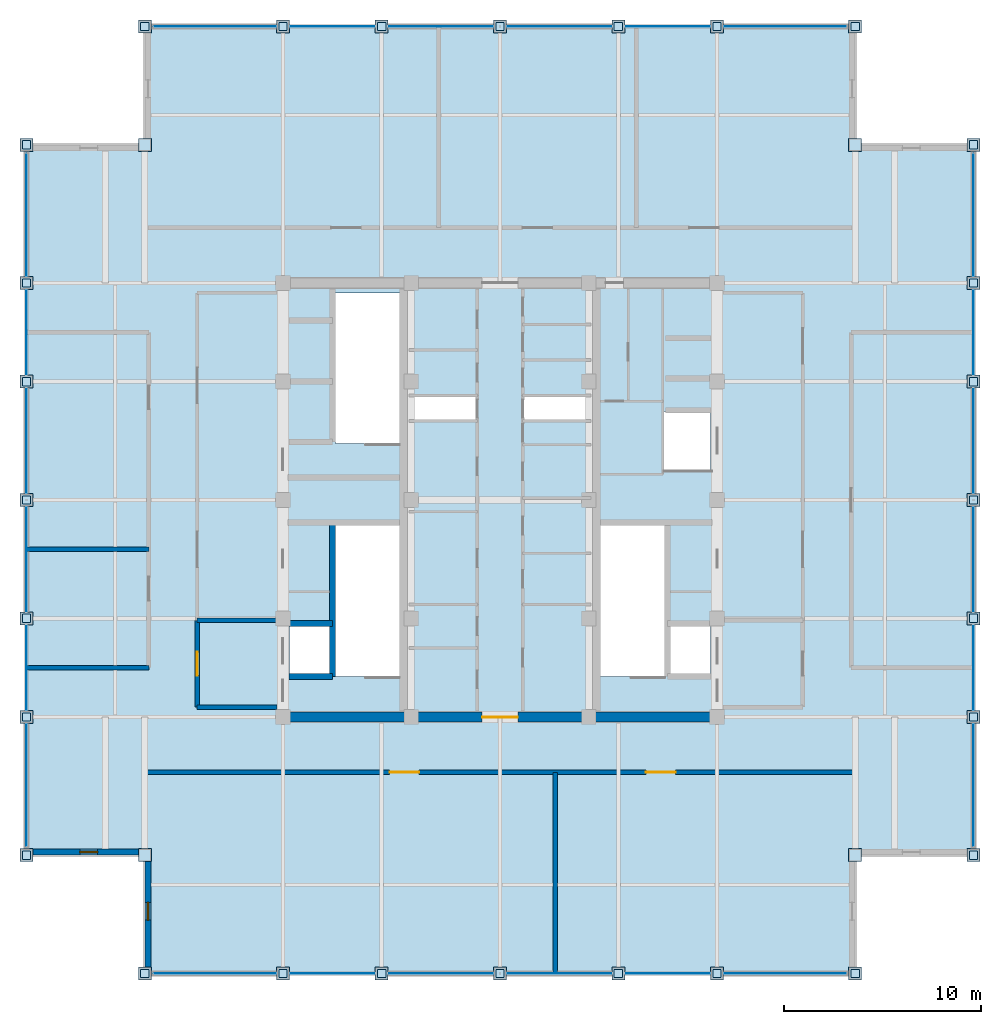
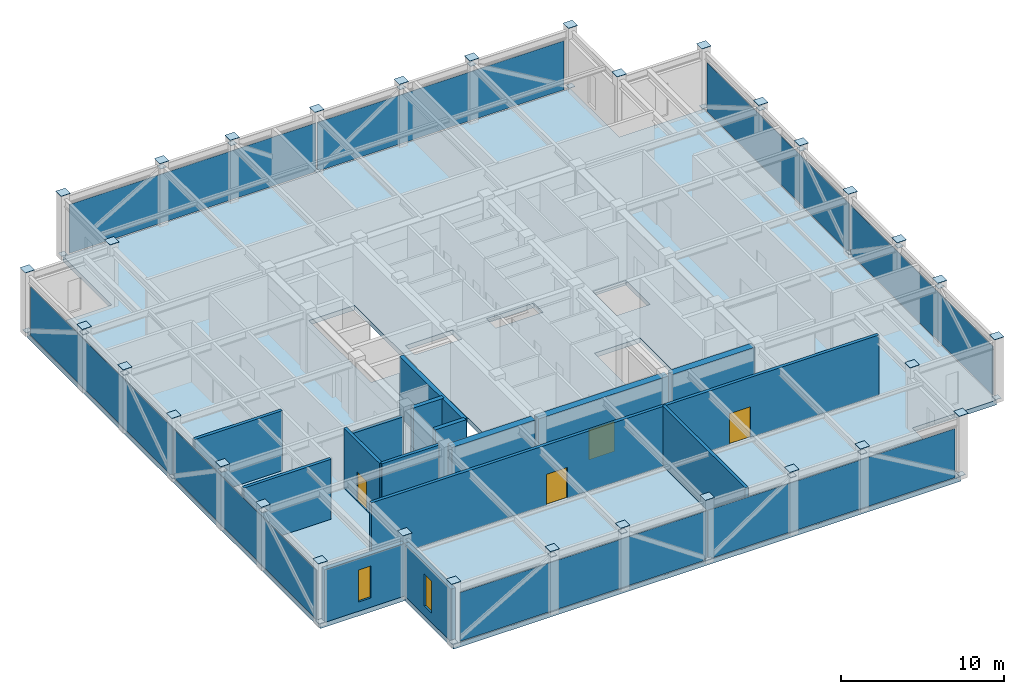
# One storey, part 23 of 27: 68 plates, 15 walls, 4 doors, 2 windows, 1 slab, 6 openings, 4 elements without a shape of their own.
"""IFC4 building model written with IfcOpenShell, lengths in metres."""

from ifc_helpers import new_model, si_unit, direction, frame, frame_2d, origin, origin_2d, place, context, subcontext, project, spatial, polyline, rectangle, outline, extrude, source, transform, mapped, material, layer, layer_set, type_object, element, fill, aggregate, save


model = new_model("IFC4")

# Units and contexts
model_context = context("Model", 3, precision=1e-05, world=origin(), true_north=direction((0.0, 1.0)))
body_context = subcontext(model_context, "Body", "Model", "MODEL_VIEW")
ifc_project = project(units=[si_unit("LENGTHUNIT", "METRE"), si_unit("AREAUNIT", "SQUARE_METRE"), si_unit("VOLUMEUNIT", "CUBIC_METRE"), si_unit("PLANEANGLEUNIT", "RADIAN"), si_unit("MASSUNIT", "GRAM", prefix="KILO")], contexts=[model_context])

# Site, building, storey
site_placement = place(None, origin())
site = spatial("IfcSite", under=ifc_project, at=site_placement, CompositionType="ELEMENT")
building_placement = place(site_placement, origin())
building = spatial("IfcBuilding", under=site, at=building_placement, Name="Khorayat Bourse Tower", CompositionType="ELEMENT")
storey_placement = place(building_placement, frame((0.0, 0.0, 399.5)))
storey = spatial("IfcBuildingStorey", under=building, at=storey_placement, Name="L94", CompositionType="ELEMENT", Elevation=399.5)

# Slab
ifc_material_1 = material(Name="Concrete C50/60", Category="concrete")
ifc_layer_1 = layer(ifc_material_1, 0.35009765625)
ifc_layer_set_1 = layer_set([ifc_layer_1], Name="Concrete C50/60")
slab_type = type_object("IfcSlabType", Name="SLB-PLANT-350", PredefinedType="FLOOR", material=ifc_layer_set_1)
slab_placement = place(storey_placement, frame((0.0, 0.0, -0.35009765625)))
element("IfcSlab", 1, at=slab_placement, inside=storey, type_object=slab_type, Name="L94 Main Floor Slab", PredefinedType="FLOOR", context=body_context, shape_type="SweptSolid", body=[
    extrude(outline(polyline([(-18.0, -24.0), (18.0, -24.0), (18.0, -18.0), (24.0, -18.0), (24.0, 18.0), (18.0, 18.0), (18.0, 24.0), (-18.0, 24.0), (-18.0, 18.0), (-24.0, 18.0), (-24.0, -18.0), (-18.0, -18.0), (-18.0, -24.0)]), holes=[polyline([(-8.35009765625, -8.945068359375), (-5.10009765625, -8.945068359375), (-5.10009765625, -1.300048828125), (-8.35009765625, -1.300048828125), (-8.35009765625, -8.945068359375)]), polyline([(-8.35009765625, 2.85498046875), (-5.10009765625, 2.85498046875), (-5.10009765625, 10.5), (-8.35009765625, 10.5), (-8.35009765625, 2.85498046875)]), polyline([(5.10009765625, -8.945068359375), (8.35009765625, -8.945068359375), (8.35009765625, -1.300048828125), (5.10009765625, -1.300048828125), (5.10009765625, -8.945068359375)]), polyline([(-10.679931640625, -8.929931640625), (-8.419921875, -8.929931640625), (-8.419921875, -6.3701171875), (-10.679931640625, -6.3701171875), (-10.679931640625, -8.929931640625)]), polyline([(8.419921875, -8.929931640625), (10.679931640625, -8.929931640625), (10.679931640625, -6.3701171875), (8.419921875, -6.3701171875), (8.419921875, -8.929931640625)]), polyline([(8.320068359375, 1.52001953125), (10.679931640625, 1.52001953125), (10.679931640625, 4.47998046875), (8.320068359375, 4.47998046875), (8.320068359375, 1.52001953125)]), polyline([(-4.56005859375, 4.080078125), (-1.18994140625, 4.080078125), (-1.18994140625, 5.219970703125), (-4.56005859375, 5.219970703125), (-4.56005859375, 4.080078125)]), polyline([(1.18994140625, 4.080078125), (4.56005859375, 4.080078125), (4.56005859375, 5.219970703125), (1.18994140625, 5.219970703125), (1.18994140625, 4.080078125)])]), origin(), (0.0, 0.0, 1.0), 0.35009765625),
])

# Plates
ifc_material_2 = material(Name="Steel EN 10025-2 S355J2", Category="steel")
ifc_layer_2 = layer(ifc_material_2, 0.02490234375)
ifc_layer_set_2 = layer_set([ifc_layer_2], Name="Steel EN 10025-2 S355J2")
plate_type_1 = type_object("IfcPlateType", Name="PLT-ENDCAP-25", PredefinedType="SHEET", material=ifc_layer_set_2)
shared_shape_1 = source(origin(), body_context, "Body", "SweptSolid", [
    extrude(rectangle(XDim=0.419921875, YDim=0.419921875, at=origin_2d()), origin(), (0.0, 0.0, 1.0), 0.02490234375),
])
for number, where, z_axis, x_axis, name in (
    (2, (-18.0, -24.0, 0.1875), (0.0, 0.0, 1.0), (1.0, 0.0, 0.0), "L94 Crown Frame Node Plate 001"),
    (3, (-11.0, -24.0, 4.28759765625), (0.0, 0.0, 1.0), (1.0, 0.0, 0.0), "L94 Crown Frame Node Plate 002"),
    (4, (-6.0, -24.0, 4.28759765625), (0.0, 0.0, 1.0), (1.0, 0.0, 0.0), "L94 Crown Frame Node Plate 003"),
    (5, (0.0, -24.0, 0.1875), (0.0, 0.0, 1.0), (1.0, 0.0, 0.0), "L94 Crown Frame Node Plate 004"),
    (6, (6.0, -24.0, 4.28759765625), (0.0, 0.0, 1.0), (1.0, 0.0, 0.0), "L94 Crown Frame Node Plate 005"),
    (7, (11.0, -24.0, 4.28759765625), (0.0, 0.0, 1.0), (1.0, 0.0, 0.0), "L94 Crown Frame Node Plate 006"),
    (8, (18.0, -24.0, 0.1875), (0.0, 0.0, 1.0), (1.0, 0.0, 0.0), "L94 Crown Frame Node Plate 007"),
    (9, (-18.0, 24.0, 0.1875), (0.0, 0.0, 1.0), (1.0, 0.0, 0.0), "L94 Crown Frame Node Plate 008"),
    (10, (-11.0, 24.0, 4.28759765625), (0.0, 0.0, 1.0), (1.0, 0.0, 0.0), "L94 Crown Frame Node Plate 009"),
    (11, (-6.0, 24.0, 4.28759765625), (0.0, 0.0, 1.0), (1.0, 0.0, 0.0), "L94 Crown Frame Node Plate 010"),
    (12, (0.0, 24.0, 0.1875), (0.0, 0.0, 1.0), (1.0, 0.0, 0.0), "L94 Crown Frame Node Plate 011"),
    (13, (6.0, 24.0, 4.28759765625), (0.0, 0.0, 1.0), (1.0, 0.0, 0.0), "L94 Crown Frame Node Plate 012"),
    (14, (11.0, 24.0, 4.28759765625), (0.0, 0.0, 1.0), (1.0, 0.0, 0.0), "L94 Crown Frame Node Plate 013"),
    (15, (18.0, 24.0, 0.1875), (0.0, 0.0, 1.0), (1.0, 0.0, 0.0), "L94 Crown Frame Node Plate 014"),
    (16, (-24.0, -18.0, 0.1875), (0.0, 0.0, 1.0), (1.0, 0.0, 0.0), "L94 Crown Frame Node Plate 015"),
    (17, (-24.0, -11.0, 4.28759765625), (0.0, 0.0, 1.0), (1.0, 0.0, 0.0), "L94 Crown Frame Node Plate 016"),
    (18, (-24.0, -6.0, 4.28759765625), (0.0, 0.0, 1.0), (1.0, 0.0, 0.0), "L94 Crown Frame Node Plate 017"),
    (19, (-24.0, 0.0, 0.1875), (0.0, 0.0, 1.0), (1.0, 0.0, 0.0), "L94 Crown Frame Node Plate 018"),
    (20, (-24.0, 6.0, 4.28759765625), (0.0, 0.0, 1.0), (1.0, 0.0, 0.0), "L94 Crown Frame Node Plate 019"),
    (21, (-24.0, 11.0, 4.28759765625), (0.0, 0.0, 1.0), (1.0, 0.0, 0.0), "L94 Crown Frame Node Plate 020"),
    (22, (-24.0, 18.0, 0.1875), (0.0, 0.0, 1.0), (1.0, 0.0, 0.0), "L94 Crown Frame Node Plate 021"),
    (23, (24.0, -18.0, 0.1875), (0.0, 0.0, 1.0), (1.0, 0.0, 0.0), "L94 Crown Frame Node Plate 022"),
    (24, (24.0, -11.0, 4.28759765625), (0.0, 0.0, 1.0), (1.0, 0.0, 0.0), "L94 Crown Frame Node Plate 023"),
    (25, (24.0, -6.0, 4.28759765625), (0.0, 0.0, 1.0), (1.0, 0.0, 0.0), "L94 Crown Frame Node Plate 024"),
    (26, (24.0, 0.0, 0.1875), (0.0, 0.0, 1.0), (1.0, 0.0, 0.0), "L94 Crown Frame Node Plate 025"),
    (27, (24.0, 6.0, 4.28759765625), (0.0, 0.0, 1.0), (1.0, 0.0, 0.0), "L94 Crown Frame Node Plate 026"),
    (28, (24.0, 11.0, 4.28759765625), (0.0, 0.0, 1.0), (1.0, 0.0, 0.0), "L94 Crown Frame Node Plate 027"),
    (29, (24.0, 18.0, 0.1875), (0.0, 0.0, 1.0), (1.0, 0.0, 0.0), "L94 Crown Frame Node Plate 028"),
):
    element("IfcPlate", number, at=place(storey_placement, frame(where, z_axis=z_axis, x_axis=x_axis)), inside=storey, type_object=plate_type_1, Name=name, PredefinedType="SHEET", context=body_context, shape_type="MappedRepresentation", body=[
        mapped(shared_shape_1, transform((0.0, 0.0, 0.0), scale=1.0)),
    ])
shared_shape_2 = source(origin(), body_context, "Body", "SweptSolid", [
    extrude(rectangle(XDim=0.659912109375, YDim=0.659912109375, at=origin_2d()), origin(), (0.0, 0.0, 1.0), 0.02490234375),
])
for number, where, z_axis, x_axis, name in (
    (30, (-24.0, -18.0, 4.800048828125), (0.0, 0.0, 1.0), (1.0, 0.0, 0.0), "L94 Column Top Endcap Plate 001"),
    (31, (-24.0, -11.0, 4.800048828125), (0.0, 0.0, 1.0), (1.0, 0.0, 0.0), "L94 Column Top Endcap Plate 002"),
    (32, (-24.0, -6.0, 4.800048828125), (0.0, 0.0, 1.0), (1.0, 0.0, 0.0), "L94 Column Top Endcap Plate 003"),
    (33, (-24.0, 0.0, 4.800048828125), (0.0, 0.0, 1.0), (1.0, 0.0, 0.0), "L94 Column Top Endcap Plate 004"),
    (34, (-24.0, 6.0, 4.800048828125), (0.0, 0.0, 1.0), (1.0, 0.0, 0.0), "L94 Column Top Endcap Plate 005"),
    (35, (-24.0, 11.0, 4.800048828125), (0.0, 0.0, 1.0), (1.0, 0.0, 0.0), "L94 Column Top Endcap Plate 006"),
    (36, (-24.0, 18.0, 4.800048828125), (0.0, 0.0, 1.0), (1.0, 0.0, 0.0), "L94 Column Top Endcap Plate 007"),
    (37, (-18.0, -24.0, 4.800048828125), (0.0, 0.0, 1.0), (1.0, 0.0, 0.0), "L94 Column Top Endcap Plate 008"),
    (38, (-18.0, -18.0, 4.800048828125), (0.0, 0.0, 1.0), (1.0, 0.0, 0.0), "L94 Column Top Endcap Plate 009"),
    (39, (-18.0, 18.0, 4.800048828125), (0.0, 0.0, 1.0), (1.0, 0.0, 0.0), "L94 Column Top Endcap Plate 010"),
    (40, (-18.0, 24.0, 4.800048828125), (0.0, 0.0, 1.0), (1.0, 0.0, 0.0), "L94 Column Top Endcap Plate 011"),
    (41, (-11.0, -24.0, 4.800048828125), (0.0, 0.0, 1.0), (1.0, 0.0, 0.0), "L94 Column Top Endcap Plate 012"),
    (42, (-11.0, 24.0, 4.800048828125), (0.0, 0.0, 1.0), (1.0, 0.0, 0.0), "L94 Column Top Endcap Plate 018"),
    (43, (-6.0, -24.0, 4.800048828125), (0.0, 0.0, 1.0), (1.0, 0.0, 0.0), "L94 Column Top Endcap Plate 019"),
    (44, (-6.0, 24.0, 4.800048828125), (0.0, 0.0, 1.0), (1.0, 0.0, 0.0), "L94 Column Top Endcap Plate 020"),
    (45, (0.0, -24.0, 4.800048828125), (0.0, 0.0, 1.0), (1.0, 0.0, 0.0), "L94 Column Top Endcap Plate 026"),
    (46, (0.0, 24.0, 4.800048828125), (0.0, 0.0, 1.0), (1.0, 0.0, 0.0), "L94 Column Top Endcap Plate 027"),
    (47, (6.0, -24.0, 4.800048828125), (0.0, 0.0, 1.0), (1.0, 0.0, 0.0), "L94 Column Top Endcap Plate 033"),
    (48, (6.0, 24.0, 4.800048828125), (0.0, 0.0, 1.0), (1.0, 0.0, 0.0), "L94 Column Top Endcap Plate 034"),
    (49, (11.0, -24.0, 4.800048828125), (0.0, 0.0, 1.0), (1.0, 0.0, 0.0), "L94 Column Top Endcap Plate 035"),
    (50, (11.0, 24.0, 4.800048828125), (0.0, 0.0, 1.0), (1.0, 0.0, 0.0), "L94 Column Top Endcap Plate 041"),
    (51, (18.0, -24.0, 4.800048828125), (0.0, 0.0, 1.0), (1.0, 0.0, 0.0), "L94 Column Top Endcap Plate 042"),
    (52, (18.0, -18.0, 4.800048828125), (0.0, 0.0, 1.0), (1.0, 0.0, 0.0), "L94 Column Top Endcap Plate 043"),
    (53, (18.0, 18.0, 4.800048828125), (0.0, 0.0, 1.0), (1.0, 0.0, 0.0), "L94 Column Top Endcap Plate 044"),
    (54, (18.0, 24.0, 4.800048828125), (0.0, 0.0, 1.0), (1.0, 0.0, 0.0), "L94 Column Top Endcap Plate 045"),
    (55, (24.0, -18.0, 4.800048828125), (0.0, 0.0, 1.0), (1.0, 0.0, 0.0), "L94 Column Top Endcap Plate 046"),
    (56, (24.0, -11.0, 4.800048828125), (0.0, 0.0, 1.0), (1.0, 0.0, 0.0), "L94 Column Top Endcap Plate 047"),
    (57, (24.0, -6.0, 4.800048828125), (0.0, 0.0, 1.0), (1.0, 0.0, 0.0), "L94 Column Top Endcap Plate 048"),
    (58, (24.0, 0.0, 4.800048828125), (0.0, 0.0, 1.0), (1.0, 0.0, 0.0), "L94 Column Top Endcap Plate 049"),
    (59, (24.0, 6.0, 4.800048828125), (0.0, 0.0, 1.0), (1.0, 0.0, 0.0), "L94 Column Top Endcap Plate 050"),
    (60, (24.0, 11.0, 4.800048828125), (0.0, 0.0, 1.0), (1.0, 0.0, 0.0), "L94 Column Top Endcap Plate 051"),
    (61, (24.0, 18.0, 4.800048828125), (0.0, 0.0, 1.0), (1.0, 0.0, 0.0), "L94 Column Top Endcap Plate 052"),
):
    element("IfcPlate", number, at=place(storey_placement, frame(where, z_axis=z_axis, x_axis=x_axis)), inside=storey, type_object=plate_type_1, Name=name, PredefinedType="SHEET", context=body_context, shape_type="MappedRepresentation", body=[
        mapped(shared_shape_2, transform((0.0, 0.0, 0.0), scale=1.0)),
    ])

# Curtain wall, plates
ifc_material_3 = material(Name="Aluminium EN AW-6063 T6", Category="aluminium")
curtain_wall_type = type_object("IfcCurtainWallType", Name="CW-SYS-07", PredefinedType="NOTDEFINED", material=ifc_material_3)
curtain_wall_1_placement = place(storey_placement, origin())
curtain_wall_1 = element("IfcCurtainWall", 62, at=curtain_wall_1_placement, inside=storey, type_object=curtain_wall_type, Name="L94 Curtain Wall CW-L94-S1", PredefinedType="NOTDEFINED")
ifc_material_4 = material(Name="Backlit ceramic-fritted lantern glass", Category="glass")
ifc_layer_3 = layer(ifc_material_4, 0.048095703125)
ifc_layer_set_3 = layer_set([ifc_layer_3], Name="Backlit ceramic-fritted lantern glass")
plate_type_2 = type_object("IfcPlateType", Name="CWP-LANTERN-04", PredefinedType="CURTAIN_PANEL", material=ifc_layer_set_3)
shared_shape_3 = source(origin(), body_context, "Body", "SweptSolid", [
    extrude(rectangle(XDim=17.5, YDim=0.048095703125, at=origin_2d()), origin(), (0.0, 0.0, 1.0), 3.669921875),
])
plate_1_placement = place(storey_placement, frame((-8.800048828125, -24.0, 0.090087890625), z_axis=(0.0, 0.0, 1.0), x_axis=(1.0, 0.0, 0.0)))
plate_1 = element("IfcPlate", 63, at=plate_1_placement, type_object=plate_type_2, Name="CW-L94-S1 Vision Panel 1-1", PredefinedType="CURTAIN_PANEL", context=body_context, shape_type="MappedRepresentation", body=[
    mapped(shared_shape_3, transform((0.0, 0.0, 0.0), scale=1.0)),
])
plate_2_placement = place(storey_placement, frame((8.800048828125, -24.0, 0.090087890625), z_axis=(0.0, 0.0, 1.0), x_axis=(1.0, 0.0, 0.0)))
plate_2 = element("IfcPlate", 64, at=plate_2_placement, type_object=plate_type_2, Name="CW-L94-S1 Vision Panel 2-1", PredefinedType="CURTAIN_PANEL", context=body_context, shape_type="MappedRepresentation", body=[
    mapped(shared_shape_3, transform((0.0, 0.0, 0.0), scale=1.0)),
])
aggregate(curtain_wall_1, [plate_1, plate_2])

curtain_wall_2_placement = place(storey_placement, origin())
curtain_wall_2 = element("IfcCurtainWall", 65, at=curtain_wall_2_placement, inside=storey, type_object=curtain_wall_type, Name="L94 Curtain Wall CW-L94-N1", PredefinedType="NOTDEFINED")
plate_3_placement = place(storey_placement, frame((-8.800048828125, 24.0, 0.090087890625), z_axis=(0.0, 0.0, 1.0), x_axis=(1.0, 0.0, 0.0)))
plate_3 = element("IfcPlate", 66, at=plate_3_placement, type_object=plate_type_2, Name="CW-L94-N1 Vision Panel 1-1", PredefinedType="CURTAIN_PANEL", context=body_context, shape_type="MappedRepresentation", body=[
    mapped(shared_shape_3, transform((0.0, 0.0, 0.0), scale=1.0)),
])
plate_4_placement = place(storey_placement, frame((8.800048828125, 24.0, 0.090087890625), z_axis=(0.0, 0.0, 1.0), x_axis=(1.0, 0.0, 0.0)))
plate_4 = element("IfcPlate", 67, at=plate_4_placement, type_object=plate_type_2, Name="CW-L94-N1 Vision Panel 2-1", PredefinedType="CURTAIN_PANEL", context=body_context, shape_type="MappedRepresentation", body=[
    mapped(shared_shape_3, transform((0.0, 0.0, 0.0), scale=1.0)),
])
aggregate(curtain_wall_2, [plate_3, plate_4])

curtain_wall_3_placement = place(storey_placement, origin())
curtain_wall_3 = element("IfcCurtainWall", 68, at=curtain_wall_3_placement, inside=storey, type_object=curtain_wall_type, Name="L94 Curtain Wall CW-L94-W1", PredefinedType="NOTDEFINED")
plate_5_placement = place(storey_placement, frame((-24.0, -8.800048828125, 0.090087890625), z_axis=(0.0, 0.0, 1.0), x_axis=(0.0, 1.0, 0.0)))
plate_5 = element("IfcPlate", 69, at=plate_5_placement, type_object=plate_type_2, Name="CW-L94-W1 Vision Panel 1-1", PredefinedType="CURTAIN_PANEL", context=body_context, shape_type="MappedRepresentation", body=[
    mapped(shared_shape_3, transform((0.0, 0.0, 0.0), scale=1.0)),
])
plate_6_placement = place(storey_placement, frame((-24.0, 8.800048828125, 0.090087890625), z_axis=(0.0, 0.0, 1.0), x_axis=(0.0, 1.0, 0.0)))
plate_6 = element("IfcPlate", 70, at=plate_6_placement, type_object=plate_type_2, Name="CW-L94-W1 Vision Panel 2-1", PredefinedType="CURTAIN_PANEL", context=body_context, shape_type="MappedRepresentation", body=[
    mapped(shared_shape_3, transform((0.0, 0.0, 0.0), scale=1.0)),
])
aggregate(curtain_wall_3, [plate_5, plate_6])

curtain_wall_4_placement = place(storey_placement, origin())
curtain_wall_4 = element("IfcCurtainWall", 71, at=curtain_wall_4_placement, inside=storey, type_object=curtain_wall_type, Name="L94 Curtain Wall CW-L94-E1", PredefinedType="NOTDEFINED")
plate_7_placement = place(storey_placement, frame((24.0, -8.800048828125, 0.090087890625), z_axis=(0.0, 0.0, 1.0), x_axis=(0.0, 1.0, 0.0)))
plate_7 = element("IfcPlate", 72, at=plate_7_placement, type_object=plate_type_2, Name="CW-L94-E1 Vision Panel 1-1", PredefinedType="CURTAIN_PANEL", context=body_context, shape_type="MappedRepresentation", body=[
    mapped(shared_shape_3, transform((0.0, 0.0, 0.0), scale=1.0)),
])
plate_8_placement = place(storey_placement, frame((24.0, 8.800048828125, 0.090087890625), z_axis=(0.0, 0.0, 1.0), x_axis=(0.0, 1.0, 0.0)))
plate_8 = element("IfcPlate", 73, at=plate_8_placement, type_object=plate_type_2, Name="CW-L94-E1 Vision Panel 2-1", PredefinedType="CURTAIN_PANEL", context=body_context, shape_type="MappedRepresentation", body=[
    mapped(shared_shape_3, transform((0.0, 0.0, 0.0), scale=1.0)),
])
aggregate(curtain_wall_4, [plate_7, plate_8])

# Walls
ifc_material_5 = material(Name="Concrete C52/65", Category="concrete")
ifc_layer_4 = layer(ifc_material_5, 0.5)
ifc_layer_set_4 = layer_set([ifc_layer_4], Name="Concrete C52/65")
wall_type_1 = type_object("IfcWallType", Name="WAL-CORE-500", PredefinedType="SHEAR", material=ifc_layer_set_4)
shared_shape_4 = source(origin(), body_context, "Body", "SweptSolid", [
    extrude(rectangle(XDim=5.89990234375, YDim=0.5, at=frame_2d((2.949951171875, 0.0))), origin(), (0.0, 0.0, 1.0), 4.5),
])
for number, where, z_axis, x_axis, name in (
    (74, (-10.75, -11.0, 0.0), (0.0, 0.0, 1.0), (1.0, 0.0, 0.0), "L94 Core Shear Wall PIER-WS"),
    (75, (4.85009765625, -11.0, 0.0), (0.0, 0.0, 1.0), (1.0, 0.0, 0.0), "L94 Core Shear Wall PIER-ES"),
):
    element("IfcWall", number, at=place(storey_placement, frame(where, z_axis=z_axis, x_axis=x_axis)), inside=storey, type_object=wall_type_1, Name=name, PredefinedType="SHEAR", context=body_context, shape_type="MappedRepresentation", body=[
        mapped(shared_shape_4, transform((0.0, 0.0, 0.0), scale=1.0)),
    ])

# Wall, opening, door
shared_shape_5 = source(origin(), body_context, "Body", "SweptSolid", [
    extrude(rectangle(XDim=9.2001953125, YDim=0.5, at=frame_2d((4.60009765625, 0.0))), origin(), (0.0, 0.0, 1.0), 4.5),
])
wall_1_placement = place(storey_placement, frame((-4.60009765625, -11.0, 0.0), z_axis=(0.0, 0.0, 1.0), x_axis=(1.0, 0.0, 0.0)))
wall_1 = element("IfcWall", 76, at=wall_1_placement, inside=storey, type_object=wall_type_1, Name="L94 Core Shear Wall CORE-S", PredefinedType="SHEAR", context=body_context, shape_type="MappedRepresentation", body=[
    mapped(shared_shape_5, transform((0.0, 0.0, 0.0), scale=1.0)),
])
shared_shape_6 = source(origin(), body_context, "Body", "SweptSolid", [
    extrude(rectangle(XDim=1.800048828125, YDim=2.25, at=frame_2d((0.89990234375, 1.125))), frame((0.0, 0.260009765625, 0.0), z_axis=(0.0, -1.0, 0.0), x_axis=(1.0, 0.0, 0.0)), (0.0, 0.0, 1.0), 0.52001953125),
])
opening_1_placement = place(wall_1_placement, frame((3.699951171875, 0.0, 0.0)))
opening_1 = element("IfcOpeningElement", 77, at=opening_1_placement, cuts=wall_1, Name="Opening DI-03", PredefinedType="OPENING", context=body_context, shape_type="MappedRepresentation", body=[
    mapped(shared_shape_6, transform((0.0, 0.0, 0.0), scale=1.0)),
])
ifc_material_6 = material(Name="Fire-rated hardwood vision-panel double leaf", Category="wood")
door_type_1 = type_object("IfcDoorType", Name="DR-INT-CORR-1800", OperationType="NOTDEFINED", PredefinedType="DOOR", material=ifc_material_6)
shared_shape_7 = source(origin(), body_context, "Body", "SweptSolid", [
    extrude(rectangle(XDim=1.800048828125, YDim=2.25, at=frame_2d((0.89990234375, 1.125))), frame((0.0, 0.02490234375, 0.0), z_axis=(0.0, -1.0, 0.0), x_axis=(1.0, 0.0, 0.0)), (0.0, 0.0, 1.0), 0.050048828125),
])
door_1_placement = place(opening_1_placement, origin())
door_1 = element("IfcDoor", 78, at=door_1_placement, inside=storey, type_object=door_type_1, Name="L94 Central Core South Passage Door", OperationType="SINGLE_SWING_LEFT", OverallHeight=2.25, OverallWidth=1.800048828125, PredefinedType="DOOR", context=body_context, shape_type="MappedRepresentation", body=[
    mapped(shared_shape_7, transform((0.0, 0.0, 0.0), scale=1.0)),
])
fill(opening_1, door_1)

# Wall, opening, window
ifc_material_7 = material(Name="Precast concrete C45/55", Category="concrete")
ifc_layer_5 = layer(ifc_material_7, 0.320068359375)
ifc_layer_set_5 = layer_set([ifc_layer_5], Name="Precast concrete C45/55")
wall_type_2 = type_object("IfcWallType", Name="WAL-EXT-STONE-320", PredefinedType="STANDARD", material=ifc_layer_set_5)
shared_shape_8 = source(origin(), body_context, "Body", "SweptSolid", [
    extrude(rectangle(XDim=5.679931640625, YDim=0.320068359375, at=frame_2d((2.83984375, 0.0))), origin(), (0.0, 0.0, 1.0), 3.950927734375),
])
wall_2_placement = place(storey_placement, frame((-18.0, -17.840087890625, 0.0), z_axis=(0.0, 0.0, 1.0), x_axis=(-1.0, 0.0, 0.0)))
wall_2 = element("IfcWall", 79, at=wall_2_placement, inside=storey, type_object=wall_type_2, Name="L94 Re-Entrant Notch Limestone Wall SW-H", PredefinedType="STANDARD", context=body_context, shape_type="MappedRepresentation", body=[
    mapped(shared_shape_8, transform((0.0, 0.0, 0.0), scale=1.0)),
])
shared_shape_9 = source(origin(), body_context, "Body", "SweptSolid", [
    extrude(rectangle(XDim=0.89990234375, YDim=2.39990234375, at=frame_2d((0.449951171875, 1.199951171875))), frame((0.0, 0.169921875, 0.0), z_axis=(0.0, -1.0, 0.0), x_axis=(1.0, 0.0, 0.0)), (0.0, 0.0, 1.0), 0.340087890625),
])
opening_2_placement = place(wall_2_placement, frame((2.389892578125, 0.0, 0.699951171875)))
opening_2 = element("IfcOpeningElement", 80, at=opening_2_placement, cuts=wall_2, Name="Opening WN-03", PredefinedType="OPENING", context=body_context, shape_type="MappedRepresentation", body=[
    mapped(shared_shape_9, transform((0.0, 0.0, 0.0), scale=1.0)),
])
ifc_material_8 = material(Name="Deep-reveal solar-control double glazing", Category="glass")
window_type = type_object("IfcWindowType", Name="WIN-SLOT-900x2400", PartitioningType="SINGLE_PANEL", PredefinedType="WINDOW", material=ifc_material_8)
shared_shape_10 = source(origin(), body_context, "Body", "SweptSolid", [
    extrude(rectangle(XDim=0.89990234375, YDim=2.39990234375, at=frame_2d((0.449951171875, 1.199951171875))), frame((0.0, 0.030029296875, 0.0), z_axis=(0.0, -1.0, 0.0), x_axis=(1.0, 0.0, 0.0)), (0.0, 0.0, 1.0), 0.06005859375),
])
window_1_placement = place(opening_2_placement, origin())
window_1 = element("IfcWindow", 81, at=window_1_placement, inside=storey, type_object=window_type, Name="L94 Facade Window 1", OverallHeight=2.39990234375, OverallWidth=0.89990234375, PartitioningType="SINGLE_PANEL", PredefinedType="WINDOW", context=body_context, shape_type="MappedRepresentation", body=[
    mapped(shared_shape_10, transform((0.0, 0.0, 0.0), scale=1.0)),
])
fill(opening_2, window_1)

wall_3_placement = place(storey_placement, frame((-17.840087890625, -23.679931640625, 0.0), z_axis=(0.0, 0.0, 1.0), x_axis=(0.0, 1.0, 0.0)))
wall_3 = element("IfcWall", 82, at=wall_3_placement, inside=storey, type_object=wall_type_2, Name="L94 Re-Entrant Notch Limestone Wall SW-V", PredefinedType="STANDARD", context=body_context, shape_type="MappedRepresentation", body=[
    mapped(shared_shape_8, transform((0.0, 0.0, 0.0), scale=1.0)),
])
opening_3_placement = place(wall_3_placement, frame((2.389892578125, 0.0, 0.699951171875)))
opening_3 = element("IfcOpeningElement", 83, at=opening_3_placement, cuts=wall_3, Name="Opening WN-03", PredefinedType="OPENING", context=body_context, shape_type="MappedRepresentation", body=[
    mapped(shared_shape_9, transform((0.0, 0.0, 0.0), scale=1.0)),
])
window_2_placement = place(opening_3_placement, origin())
window_2 = element("IfcWindow", 84, at=window_2_placement, inside=storey, type_object=window_type, Name="L94 Facade Window 1", OverallHeight=2.39990234375, OverallWidth=0.89990234375, PartitioningType="SINGLE_PANEL", PredefinedType="WINDOW", context=body_context, shape_type="MappedRepresentation", body=[
    mapped(shared_shape_10, transform((0.0, 0.0, 0.0), scale=1.0)),
])
fill(opening_3, window_2)

# Walls
ifc_layer_6 = layer(ifc_material_1, 0.300048828125)
ifc_layer_set_6 = layer_set([ifc_layer_6], Name="Concrete C50/60")
wall_type_3 = type_object("IfcWallType", Name="WAL-SHAFT-300", PredefinedType="SHEAR", material=ifc_layer_set_6)
shared_shape_11 = source(origin(), body_context, "Body", "SweptSolid", [
    extrude(rectangle(XDim=7.800048828125, YDim=0.300048828125, at=frame_2d((3.89990234375, 0.0))), origin(), (0.0, 0.0, 1.0), 4.5),
])
wall_4_placement = place(storey_placement, frame((-8.5, -8.949951171875, 0.0), z_axis=(0.0, 0.0, 1.0), x_axis=(0.0, 1.0, 0.0)))
element("IfcWall", 85, at=wall_4_placement, inside=storey, type_object=wall_type_3, Name="L94 Partition WAL-L94-WPIER-SP", PredefinedType="SHEAR", context=body_context, shape_type="MappedRepresentation", body=[
    mapped(shared_shape_11, transform((0.0, 0.0, 0.0), scale=1.0)),
])
shared_shape_12 = source(origin(), body_context, "Body", "SweptSolid", [
    extrude(rectangle(XDim=2.199951171875, YDim=0.300048828125, at=frame_2d((1.10009765625, 0.0))), origin(), (0.0, 0.0, 1.0), 4.5),
])
for number, where, z_axis, x_axis, name in (
    (86, (-10.699951171875, -8.949951171875, 0.0), (0.0, 0.0, 1.0), (1.0, 0.0, 0.0), "L94 Partition WAL-L94-WPIER-FF1S"),
    (87, (-10.699951171875, -6.25, 0.0), (0.0, 0.0, 1.0), (1.0, 0.0, 0.0), "L94 Partition WAL-L94-WPIER-FF1N"),
):
    element("IfcWall", number, at=place(storey_placement, frame(where, z_axis=z_axis, x_axis=x_axis)), inside=storey, type_object=wall_type_3, Name=name, PredefinedType="SHEAR", context=body_context, shape_type="MappedRepresentation", body=[
        mapped(shared_shape_12, transform((0.0, 0.0, 0.0), scale=1.0)),
    ])
ifc_material_9 = material(Name="Aerated concrete blockwork", Category="masonry")
ifc_layer_7 = layer(ifc_material_9, 0.219970703125)
ifc_layer_set_7 = layer_set([ifc_layer_7], Name="Aerated concrete blockwork")
wall_type_4 = type_object("IfcWallType", Name="WAL-PART-FF-220", PredefinedType="PARTITIONING", material=ifc_layer_set_7)
shared_shape_13 = source(origin(), body_context, "Body", "SweptSolid", [
    extrude(rectangle(XDim=4.050048828125, YDim=0.219970703125, at=frame_2d((2.02490234375, 0.0))), origin(), (0.0, 0.0, 1.0), 4.5),
])
wall_5_placement = place(storey_placement, frame((-15.35009765625, -10.5, 0.0), z_axis=(0.0, 0.0, 1.0), x_axis=(1.0, 0.0, 0.0)))
element("IfcWall", 88, at=wall_5_placement, inside=storey, type_object=wall_type_4, Name="L94 Partition WAL-L94-FFLW-S", PredefinedType="PARTITIONING", context=body_context, shape_type="MappedRepresentation", body=[
    mapped(shared_shape_13, transform((0.0, 0.0, 0.0), scale=1.0)),
])
shared_shape_14 = source(origin(), body_context, "Body", "SweptSolid", [
    extrude(rectangle(XDim=4.050048828125, YDim=0.219970703125, at=frame_2d((2.02490234375, 0.0))), origin(), (0.0, 0.0, 1.0), 3.950927734375),
])
wall_6_placement = place(storey_placement, frame((-15.35009765625, -6.10009765625, 0.0), z_axis=(0.0, 0.0, 1.0), x_axis=(1.0, 0.0, 0.0)))
element("IfcWall", 89, at=wall_6_placement, inside=storey, type_object=wall_type_4, Name="L94 Partition WAL-L94-FFLW-N", PredefinedType="PARTITIONING", context=body_context, shape_type="MappedRepresentation", body=[
    mapped(shared_shape_14, transform((0.0, 0.0, 0.0), scale=1.0)),
])

# Wall, opening, door
shared_shape_15 = source(origin(), body_context, "Body", "SweptSolid", [
    extrude(rectangle(XDim=4.39990234375, YDim=0.219970703125, at=frame_2d((2.199951171875, 0.0))), origin(), (0.0, 0.0, 1.0), 4.5),
])
wall_7_placement = place(storey_placement, frame((-15.35009765625, -10.5, 0.0), z_axis=(0.0, 0.0, 1.0), x_axis=(0.0, 1.0, 0.0)))
wall_7 = element("IfcWall", 90, at=wall_7_placement, inside=storey, type_object=wall_type_4, Name="L94 Partition WAL-L94-FFLW-W", PredefinedType="PARTITIONING", context=body_context, shape_type="MappedRepresentation", body=[
    mapped(shared_shape_15, transform((0.0, 0.0, 0.0), scale=1.0)),
])
shared_shape_16 = source(origin(), body_context, "Body", "SweptSolid", [
    extrude(rectangle(XDim=1.199951171875, YDim=2.199951171875, at=frame_2d((0.60009765625, 1.10009765625))), frame((0.0, 0.119873046875, 0.0), z_axis=(0.0, -1.0, 0.0), x_axis=(1.0, 0.0, 0.0)), (0.0, 0.0, 1.0), 0.239990234375),
])
opening_4_placement = place(wall_7_placement, frame((1.60009765625, 0.0, 0.0)))
opening_4 = element("IfcOpeningElement", 91, at=opening_4_placement, cuts=wall_7, Name="Opening DI-02", PredefinedType="OPENING", context=body_context, shape_type="MappedRepresentation", body=[
    mapped(shared_shape_16, transform((0.0, 0.0, 0.0), scale=1.0)),
])
ifc_material_10 = material(Name="Fire-rated steel double-seal leaf", Category="steel")
door_type_2 = type_object("IfcDoorType", Name="DR-INT-FFLOBBY-1200", OperationType="NOTDEFINED", PredefinedType="DOOR", material=ifc_material_10)
shared_shape_17 = source(origin(), body_context, "Body", "SweptSolid", [
    extrude(rectangle(XDim=1.199951171875, YDim=2.199951171875, at=frame_2d((0.60009765625, 1.10009765625))), frame((0.0, 0.02490234375, 0.0), z_axis=(0.0, -1.0, 0.0), x_axis=(1.0, 0.0, 0.0)), (0.0, 0.0, 1.0), 0.050048828125),
])
door_2_placement = place(opening_4_placement, origin())
door_2 = element("IfcDoor", 92, at=door_2_placement, inside=storey, type_object=door_type_2, Name="L94 West Firefighting Lobby Door", OperationType="SINGLE_SWING_LEFT", OverallHeight=2.199951171875, OverallWidth=1.199951171875, PredefinedType="DOOR", context=body_context, shape_type="MappedRepresentation", body=[
    mapped(shared_shape_17, transform((0.0, 0.0, 0.0), scale=1.0)),
])
fill(opening_4, door_2)

# Wall
shared_shape_18 = source(origin(), body_context, "Body", "SweptSolid", [
    extrude(rectangle(XDim=10.199951171875, YDim=0.219970703125, at=frame_2d((5.10009765625, 0.0))), origin(), (0.0, 0.0, 1.0), 4.5),
])
wall_8_placement = place(storey_placement, frame((2.800048828125, -24.0, 0.0), z_axis=(0.0, 0.0, 1.0), x_axis=(0.0, 1.0, 0.0)))
element("IfcWall", 93, at=wall_8_placement, inside=storey, type_object=wall_type_4, Name="L94 Partition WAL-L94-PLS-DIV", PredefinedType="PARTITIONING", context=body_context, shape_type="MappedRepresentation", body=[
    mapped(shared_shape_18, transform((0.0, 0.0, 0.0), scale=1.0)),
])

# Wall, openings, doors
shared_shape_19 = source(origin(), body_context, "Body", "SweptSolid", [
    extrude(rectangle(XDim=36.0, YDim=0.219970703125, at=frame_2d((18.0, 0.0))), origin(), (0.0, 0.0, 1.0), 4.5),
])
wall_9_placement = place(storey_placement, frame((-18.0, -13.800048828125, 0.0), z_axis=(0.0, 0.0, 1.0), x_axis=(1.0, 0.0, 0.0)))
wall_9 = element("IfcWall", 94, at=wall_9_placement, inside=storey, type_object=wall_type_4, Name="L94 Partition WAL-L94-PLS-N", PredefinedType="PARTITIONING", context=body_context, shape_type="MappedRepresentation", body=[
    mapped(shared_shape_19, transform((0.0, 0.0, 0.0), scale=1.0)),
])
shared_shape_20 = source(origin(), body_context, "Body", "SweptSolid", [
    extrude(rectangle(XDim=1.5, YDim=2.300048828125, at=frame_2d((0.75, 1.14990234375))), frame((0.0, 0.119873046875, 0.0), z_axis=(0.0, -1.0, 0.0), x_axis=(1.0, 0.0, 0.0)), (0.0, 0.0, 1.0), 0.239990234375),
])
opening_5_placement = place(wall_9_placement, frame((12.39990234375, 0.0, 0.0)))
opening_5 = element("IfcOpeningElement", 95, at=opening_5_placement, cuts=wall_9, Name="Opening DI-07", PredefinedType="OPENING", context=body_context, shape_type="MappedRepresentation", body=[
    mapped(shared_shape_20, transform((0.0, 0.0, 0.0), scale=1.0)),
])
opening_6_placement = place(wall_9_placement, frame((25.39990234375, 0.0, 0.0)))
opening_6 = element("IfcOpeningElement", 96, at=opening_6_placement, cuts=wall_9, Name="Opening DI-07", PredefinedType="OPENING", context=body_context, shape_type="MappedRepresentation", body=[
    mapped(shared_shape_20, transform((0.0, 0.0, 0.0), scale=1.0)),
])
ifc_material_11 = material(Name="Louvred fire-rated steel plant double door", Category="steel")
door_type_3 = type_object("IfcDoorType", Name="DR-INT-PLANT-1500", OperationType="NOTDEFINED", PredefinedType="DOOR", material=ifc_material_11)
shared_shape_21 = source(origin(), body_context, "Body", "SweptSolid", [
    extrude(rectangle(XDim=1.5, YDim=2.300048828125, at=frame_2d((0.75, 1.14990234375))), frame((0.0, 0.02490234375, 0.0), z_axis=(0.0, -1.0, 0.0), x_axis=(1.0, 0.0, 0.0)), (0.0, 0.0, 1.0), 0.050048828125),
])
door_3_placement = place(opening_5_placement, origin())
door_3 = element("IfcDoor", 97, at=door_3_placement, inside=storey, type_object=door_type_3, Name="L94 Chiller Plant Door", OperationType="SINGLE_SWING_LEFT", OverallHeight=2.300048828125, OverallWidth=1.5, PredefinedType="DOOR", context=body_context, shape_type="MappedRepresentation", body=[
    mapped(shared_shape_21, transform((0.0, 0.0, 0.0), scale=1.0)),
])
fill(opening_5, door_3)
door_4_placement = place(opening_6_placement, origin())
door_4 = element("IfcDoor", 98, at=door_4_placement, inside=storey, type_object=door_type_3, Name="L94 Pump Plant Door", OperationType="SINGLE_SWING_RIGHT", OverallHeight=2.300048828125, OverallWidth=1.5, PredefinedType="DOOR", context=body_context, shape_type="MappedRepresentation", body=[
    mapped(shared_shape_21, transform((0.0, 0.0, 0.0), scale=1.0)),
])
fill(opening_6, door_4)

# Walls
shared_shape_22 = source(origin(), body_context, "Body", "SweptSolid", [
    extrude(rectangle(XDim=6.199951171875, YDim=0.219970703125, at=frame_2d((3.10009765625, 0.0))), origin(), (0.0, 0.0, 1.0), 4.5),
])
for number, where, z_axis, x_axis, name in (
    (99, (-24.0, -2.5, 0.0), (0.0, 0.0, 1.0), (1.0, 0.0, 0.0), "L94 Partition WAL-L94-CRNW-D"),
    (100, (-24.0, -8.5, 0.0), (0.0, 0.0, 1.0), (1.0, 0.0, 0.0), "L94 Partition WAL-L94-PLW-S"),
):
    element("IfcWall", number, at=place(storey_placement, frame(where, z_axis=z_axis, x_axis=x_axis)), inside=storey, type_object=wall_type_4, Name=name, PredefinedType="PARTITIONING", context=body_context, shape_type="MappedRepresentation", body=[
        mapped(shared_shape_22, transform((0.0, 0.0, 0.0), scale=1.0)),
    ])

save(model, "model.ifc")
